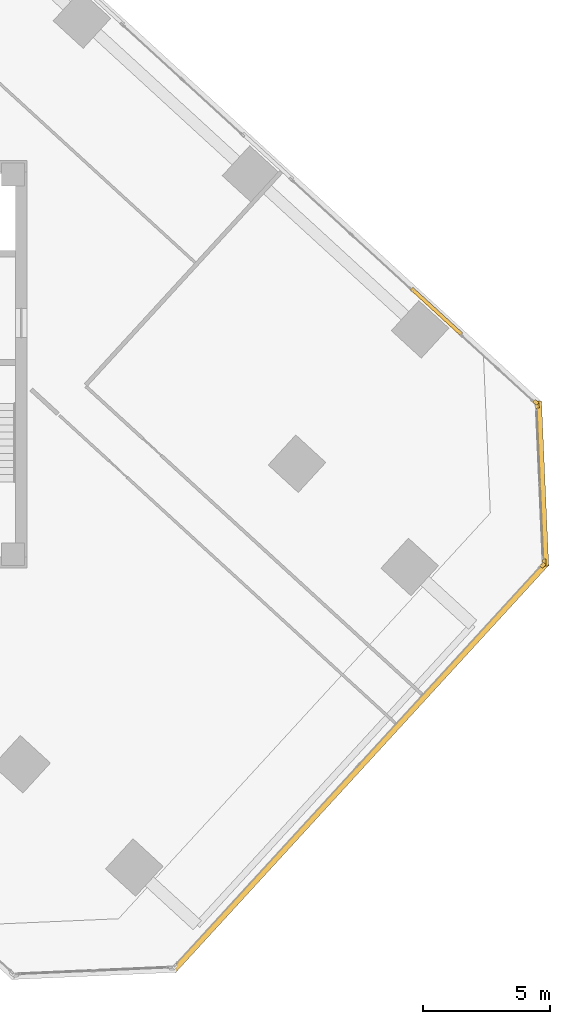
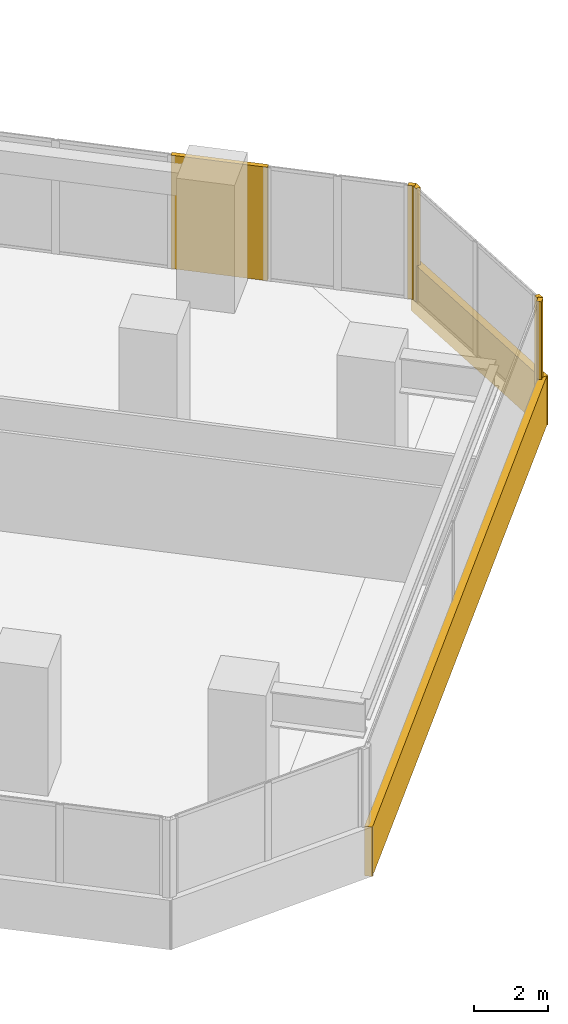
# One storey, part 18 of 19: 7 coverings.
"""IFC4 building model written with IfcOpenShell, lengths in metres."""

from ifc_helpers import new_model, si_unit, direction, frame, origin, origin_2d, place, context, subcontext, project, spatial, rectangle, extrude, source, transform, mapped, material, layer, layer_set, type_object, element, save


model = new_model("IFC4")

# Units and contexts
model_context = context("Model", 3, precision=1e-05, world=origin(), true_north=direction((0.0, 1.0)))
body_context = subcontext(model_context, "Body", "Model", "MODEL_VIEW")
ifc_project = project(units=[si_unit("LENGTHUNIT", "METRE"), si_unit("AREAUNIT", "SQUARE_METRE"), si_unit("VOLUMEUNIT", "CUBIC_METRE"), si_unit("PLANEANGLEUNIT", "RADIAN"), si_unit("MASSUNIT", "GRAM", prefix="KILO")], contexts=[model_context])

# Site, building, storey
site_placement = place(None, origin())
site = spatial("IfcSite", under=ifc_project, at=site_placement, CompositionType="ELEMENT")
building_placement = place(site_placement, origin())
building = spatial("IfcBuilding", under=site, at=building_placement, Name="Torre Montelarca", CompositionType="ELEMENT")
storey_placement = place(building_placement, frame((0.0, 0.0, 229.0)))
storey = spatial("IfcBuildingStorey", under=building, at=storey_placement, Name="L51", CompositionType="ELEMENT", Elevation=229.0)

# Coverings
ifc_material = material(Name="Bush-hammered warm white precast concrete C45/55", Category="concrete")
ifc_layer = layer(ifc_material, 0.139892578125, Name="Bush-hammered warm white precast concrete C45/55", Category="concrete")
ifc_layer_set = layer_set([ifc_layer], Name="Bush-hammered warm white precast concrete C45/55")
covering_type = type_object("IfcCoveringType", Name="COV-TRAY-CLAD", PredefinedType="CLADDING", material=ifc_layer_set)
shared_shape_1 = source(origin(), body_context, "Body", "SweptSolid", [
    extrude(rectangle(XDim=6.48388671875, YDim=0.219970703125, at=origin_2d()), origin(), (0.0, 0.0, 1.0), 1.6201171875),
])
covering_1_placement = place(storey_placement, frame((47.22509765625, 27.3193359375, -0.449951171875), z_axis=(0.0, 0.0, 1.0), x_axis=(-0.043621131033, 0.99904814545, 0.0)))
element("IfcCovering", 1, at=covering_1_placement, inside=storey, type_object=covering_type, Name="L51 Architectural White Spandrel Tray Band TRYBOT-07", PredefinedType="CLADDING", context=body_context, shape_type="MappedRepresentation", body=[
    mapped(shared_shape_1, transform((0.0, 0.0, 0.0), scale=1.0)),
])
shared_shape_2 = source(origin(), body_context, "Body", "SweptSolid", [
    extrude(rectangle(XDim=0.199951171875, YDim=0.139892578125, at=origin_2d()), origin(), (0.0, 0.0, 1.0), 3.719970703125),
])
for number, where, z_axis, x_axis, name in (
    (2, (47.24951171875, 24.1171875, 0.0), (0.0, 0.0, 1.0), (0.675592781195, 0.737274978551, 0.0), "L51 Architectural Column Pier Cladding E06-2"),
    (3, (47.299072265625, 24.25341796875, 0.0), (0.0, 0.0, 1.0), (-0.043628105704, 0.999047840893, 0.0), "L51 Architectural Column Pier Cladding E07-1"),
    (4, (47.031494140625, 30.3798828125, 0.0), (0.0, 0.0, 1.0), (-0.043628105704, 0.999047840893, 0.0), "L51 Architectural Column Pier Cladding E07-2"),
    (5, (46.97021484375, 30.511474609375, 0.0), (0.0, 0.0, 1.0), (-0.73727733681, 0.675590207616, 0.0), "L51 Architectural Column Pier Cladding E08-1"),
):
    element("IfcCovering", number, at=place(storey_placement, frame(where, z_axis=z_axis, x_axis=x_axis)), inside=storey, type_object=covering_type, Name=name, PredefinedType="CLADDING", context=body_context, shape_type="MappedRepresentation", body=[
        mapped(shared_shape_2, transform((0.0, 0.0, 0.0), scale=1.0)),
    ])
shared_shape_3 = source(origin(), body_context, "Body", "SweptSolid", [
    extrude(rectangle(XDim=21.719970703125, YDim=0.219970703125, at=origin_2d()), origin(), (0.0, 0.0, 1.0), 1.6201171875),
])
covering_2_placement = place(storey_placement, frame((40.075439453125, 16.199462890625, -0.449951171875), z_axis=(0.0, 0.0, 1.0), x_axis=(0.675594067982, 0.737273799418, 0.0)))
element("IfcCovering", 6, at=covering_2_placement, inside=storey, type_object=covering_type, Name="L51 Architectural White Spandrel Tray Band TRYBOT-06", PredefinedType="CLADDING", context=body_context, shape_type="MappedRepresentation", body=[
    mapped(shared_shape_3, transform((0.0, 0.0, 0.0), scale=1.0)),
])
shared_shape_4 = source(origin(), body_context, "Body", "SweptSolid", [
    extrude(rectangle(XDim=2.659912109375, YDim=0.139892578125, at=origin_2d()), origin(), (0.0, 0.0, 1.0), 3.719970703125),
])
covering_3_placement = place(storey_placement, frame((43.07421875, 34.08154296875, 0.0), z_axis=(0.0, 0.0, 1.0), x_axis=(-0.73727733681, 0.675590207616, 0.0)))
element("IfcCovering", 7, at=covering_3_placement, inside=storey, type_object=covering_type, Name="L51 Architectural Column Pier Cladding E08-2", PredefinedType="CLADDING", context=body_context, shape_type="MappedRepresentation", body=[
    mapped(shared_shape_4, transform((0.0, 0.0, 0.0), scale=1.0)),
])

save(model, "model.ifc")
